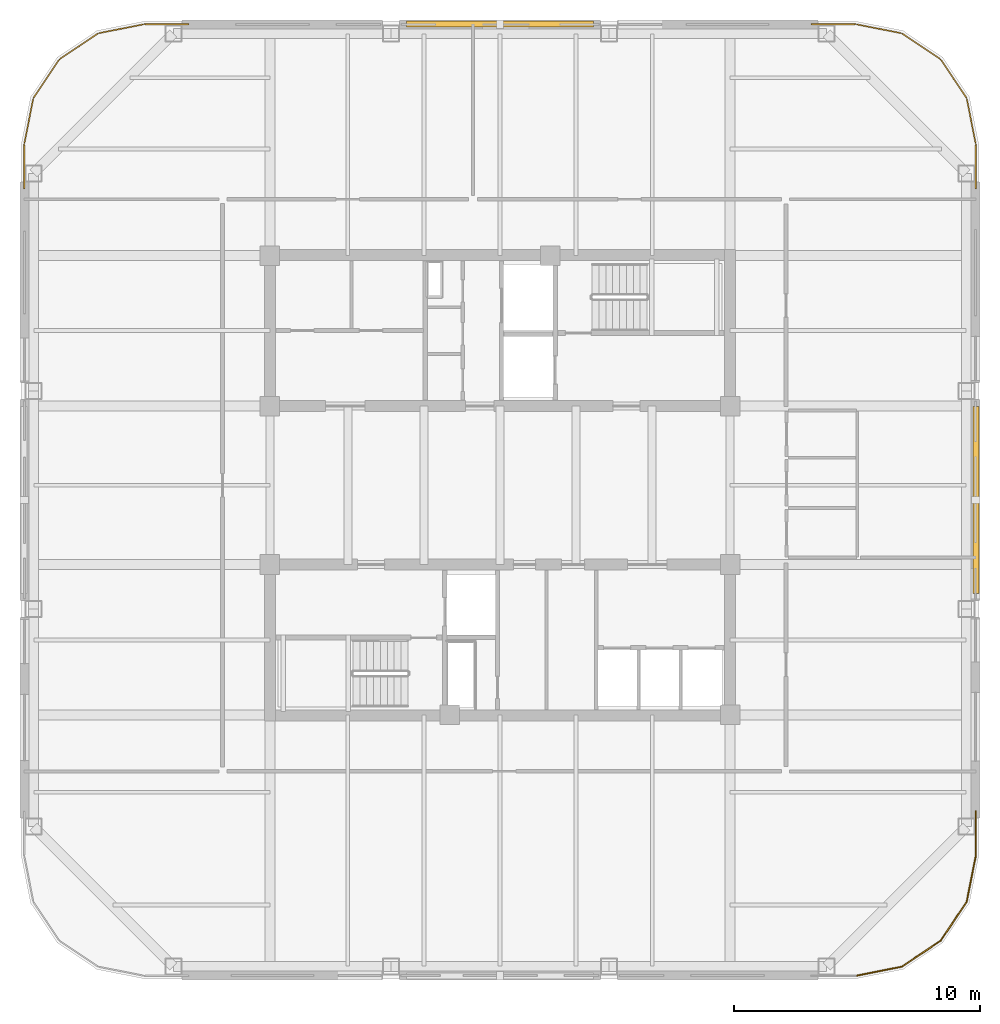
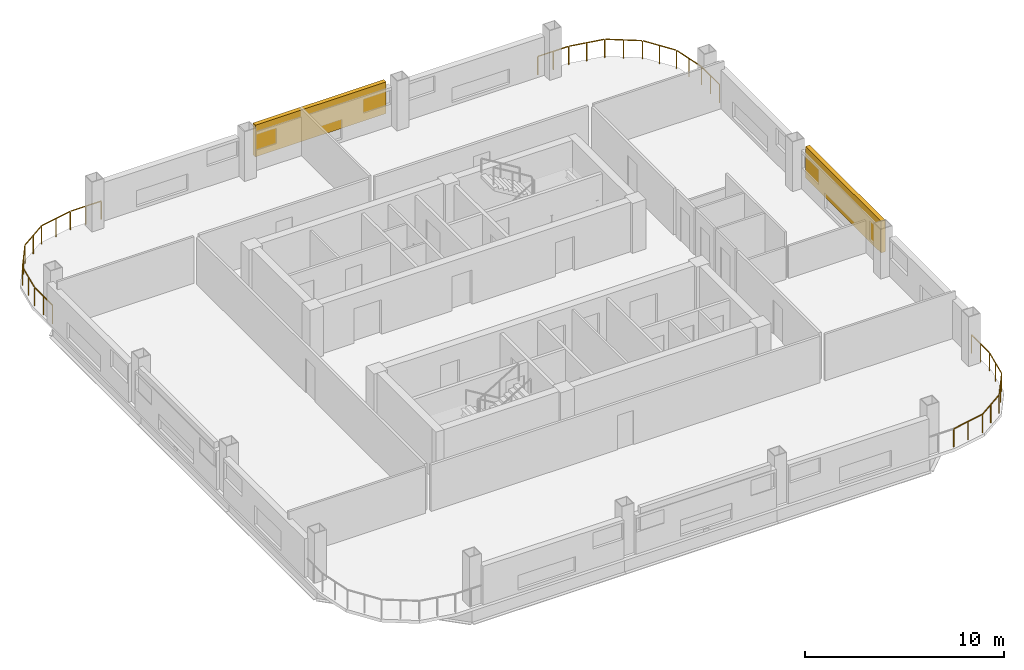
# One storey, part 8 of 8: 3 railings, 2 shading devices.
"""IFC4 building model written with IfcOpenShell, lengths in metres."""

from ifc_helpers import new_model, si_unit, direction, frame, origin, origin_2d, place, context, subcontext, project, spatial, rectangle, extrude, material, type_object, element, save


model = new_model("IFC4")

# Units and contexts
model_context = context("Model", 3, precision=1e-05, world=origin(), true_north=direction((0.0, 1.0)))
body_context = subcontext(model_context, "Body", "Model", "MODEL_VIEW")
ifc_project = project(units=[si_unit("LENGTHUNIT", "METRE"), si_unit("AREAUNIT", "SQUARE_METRE"), si_unit("VOLUMEUNIT", "CUBIC_METRE"), si_unit("PLANEANGLEUNIT", "RADIAN"), si_unit("MASSUNIT", "GRAM", prefix="KILO")], contexts=[model_context])

# Site, building, storey
site_placement = place(None, origin())
site = spatial("IfcSite", under=ifc_project, at=site_placement, CompositionType="ELEMENT")
building_placement = place(site_placement, origin())
building = spatial("IfcBuilding", under=site, at=building_placement, Name="Qhalaya Broadcast Tower", CompositionType="ELEMENT")
storey_placement = place(building_placement, frame((0.0, 0.0, 202.550048828125)))
storey = spatial("IfcBuildingStorey", under=building, at=storey_placement, Name="L59", CompositionType="ELEMENT", Elevation=202.550048828125)

# Railings
ifc_material_1 = material(Name="Powder-Coated Galvanised Steel", Category="steel")
railing_type = type_object("IfcRailingType", Name="Terrace, Sky-Pool & Lookout Glass Balustrade 1150", PredefinedType="BALUSTRADE", material=ifc_material_1)
railing_1_placement = place(storey_placement, frame((-19.3798828125, 12.681884765625, 0.0)))
element("IfcRailing", 1, at=railing_1_placement, inside=storey, type_object=railing_type, Name="L59 Rounded Corner Perimeter Guard 03", PredefinedType="BALUSTRADE", context=body_context, shape_type="SweptSolid", body=[
    extrude(rectangle(XDim=0.048095703125, YDim=0.048095703125, at=origin_2d()), frame((0.0, 0.0, 1.1259765625), z_axis=(0.0, 1.0, 0.0), x_axis=(-1.0, 0.0, 0.0)), (0.0, 0.0, 1.0), 1.777587890625),
    extrude(rectangle(XDim=0.048095703125, YDim=0.048095703125, at=origin_2d()), frame((0.005615234375, 1.834716796875, 1.1259765625), z_axis=(0.195037378397, 0.980795810058, 0.0), x_axis=(-0.980795810058, 0.195037378397, 0.0)), (0.0, 0.0, 1.0), 1.857421875),
    extrude(rectangle(XDim=0.048095703125, YDim=0.048095703125, at=origin_2d()), frame((0.3896484375, 3.708740234375, 1.1259765625), z_axis=(0.555617615188, 0.831437950597, 0.0), x_axis=(-0.831437950597, 0.555617615188, 0.0)), (0.0, 0.0, 1.0), 1.845458984375),
    extrude(rectangle(XDim=0.048095703125, YDim=0.048095703125, at=origin_2d()), frame((1.454833984375, 5.283203125, 1.1259765625), z_axis=(0.831437950597, 0.555617615188, 0.0), x_axis=(-0.555617615188, 0.831437950597, 0.0)), (0.0, 0.0, 1.0), 1.845458984375),
    extrude(rectangle(XDim=0.048095703125, YDim=0.048095703125, at=origin_2d()), frame((3.04150390625, 6.330078125, 1.1259765625), z_axis=(0.980795810058, 0.195037378397, 0.0), x_axis=(-0.195037378397, 0.980795810058, 0.0)), (0.0, 0.0, 1.0), 1.857421875),
    extrude(rectangle(XDim=0.048095703125, YDim=0.048095703125, at=origin_2d()), frame((4.92041015625, 6.697998046875, 1.1259765625), z_axis=(1.0, 0.0, 0.0), x_axis=(0.0, 1.0, 0.0)), (0.0, 0.0, 1.0), 1.777587890625),
    extrude(rectangle(XDim=0.0419921875, YDim=0.0419921875, at=origin_2d()), origin(), (0.0, 0.0, 1.0), 1.099853515625),
    extrude(rectangle(XDim=0.0419921875, YDim=0.0419921875, at=origin_2d()), frame((0.0, 0.9033203125, 0.0)), (0.0, 0.0, 1.0), 1.099853515625),
    extrude(rectangle(XDim=0.0419921875, YDim=0.0419921875, at=origin_2d()), frame((0.0, 1.806396484375, 0.0)), (0.0, 0.0, 1.0), 1.099853515625),
    extrude(rectangle(XDim=0.0419921875, YDim=0.0419921875, at=origin_2d()), frame((0.186767578125, 2.74560546875, 0.0)), (0.0, 0.0, 1.0), 1.099853515625),
    extrude(rectangle(XDim=0.0419921875, YDim=0.0419921875, at=origin_2d()), frame((0.37353515625, 3.684814453125, 0.0)), (0.0, 0.0, 1.0), 1.099853515625),
    extrude(rectangle(XDim=0.0419921875, YDim=0.0419921875, at=origin_2d()), frame((0.90234375, 4.47607421875, 0.0)), (0.0, 0.0, 1.0), 1.099853515625),
    extrude(rectangle(XDim=0.0419921875, YDim=0.0419921875, at=origin_2d()), frame((1.430908203125, 5.26708984375, 0.0)), (0.0, 0.0, 1.0), 1.099853515625),
    extrude(rectangle(XDim=0.0419921875, YDim=0.0419921875, at=origin_2d()), frame((2.22216796875, 5.7958984375, 0.0)), (0.0, 0.0, 1.0), 1.099853515625),
    extrude(rectangle(XDim=0.0419921875, YDim=0.0419921875, at=origin_2d()), frame((3.01318359375, 6.324462890625, 0.0)), (0.0, 0.0, 1.0), 1.099853515625),
    extrude(rectangle(XDim=0.0419921875, YDim=0.0419921875, at=origin_2d()), frame((3.952392578125, 6.51123046875, 0.0)), (0.0, 0.0, 1.0), 1.099853515625),
    extrude(rectangle(XDim=0.0419921875, YDim=0.0419921875, at=origin_2d()), frame((4.8916015625, 6.697998046875, 0.0)), (0.0, 0.0, 1.0), 1.099853515625),
    extrude(rectangle(XDim=0.0419921875, YDim=0.0419921875, at=origin_2d()), frame((5.794921875, 6.697998046875, 0.0)), (0.0, 0.0, 1.0), 1.099853515625),
    extrude(rectangle(XDim=0.0419921875, YDim=0.0419921875, at=origin_2d()), frame((6.697998046875, 6.697998046875, 0.0)), (0.0, 0.0, 1.0), 1.099853515625),
])
railing_2_placement = place(storey_placement, frame((12.681884765625, 19.3798828125, 0.0)))
element("IfcRailing", 2, at=railing_2_placement, inside=storey, type_object=railing_type, Name="L59 Rounded Corner Perimeter Guard 04", PredefinedType="BALUSTRADE", context=body_context, shape_type="SweptSolid", body=[
    extrude(rectangle(XDim=0.048095703125, YDim=0.048095703125, at=origin_2d()), frame((0.0, 0.0, 1.1259765625), z_axis=(1.0, 0.0, 0.0), x_axis=(0.0, 1.0, 0.0)), (0.0, 0.0, 1.0), 1.777587890625),
    extrude(rectangle(XDim=0.048095703125, YDim=0.048095703125, at=origin_2d()), frame((1.834716796875, -0.005615234375, 1.1259765625), z_axis=(0.980795810058, -0.195037378397, 0.0), x_axis=(0.195037378397, 0.980795810058, 0.0)), (0.0, 0.0, 1.0), 1.857421875),
    extrude(rectangle(XDim=0.048095703125, YDim=0.048095703125, at=origin_2d()), frame((3.708740234375, -0.3896484375, 1.1259765625), z_axis=(0.831437950597, -0.555617615188, 0.0), x_axis=(0.555617615188, 0.831437950597, 0.0)), (0.0, 0.0, 1.0), 1.845458984375),
    extrude(rectangle(XDim=0.048095703125, YDim=0.048095703125, at=origin_2d()), frame((5.283203125, -1.454833984375, 1.1259765625), z_axis=(0.555617615188, -0.831437950597, 0.0), x_axis=(0.831437950597, 0.555617615188, 0.0)), (0.0, 0.0, 1.0), 1.845458984375),
    extrude(rectangle(XDim=0.048095703125, YDim=0.048095703125, at=origin_2d()), frame((6.330078125, -3.04150390625, 1.1259765625), z_axis=(0.195037378397, -0.980795810058, 0.0), x_axis=(0.980795810058, 0.195037378397, 0.0)), (0.0, 0.0, 1.0), 1.857421875),
    extrude(rectangle(XDim=0.048095703125, YDim=0.048095703125, at=origin_2d()), frame((6.697998046875, -4.92041015625, 1.1259765625), z_axis=(0.0, -1.0, 0.0), x_axis=(1.0, 0.0, 0.0)), (0.0, 0.0, 1.0), 1.777587890625),
    extrude(rectangle(XDim=0.0419921875, YDim=0.0419921875, at=origin_2d()), origin(), (0.0, 0.0, 1.0), 1.099853515625),
    extrude(rectangle(XDim=0.0419921875, YDim=0.0419921875, at=origin_2d()), frame((0.9033203125, 0.0, 0.0)), (0.0, 0.0, 1.0), 1.099853515625),
    extrude(rectangle(XDim=0.0419921875, YDim=0.0419921875, at=origin_2d()), frame((1.806396484375, 0.0, 0.0)), (0.0, 0.0, 1.0), 1.099853515625),
    extrude(rectangle(XDim=0.0419921875, YDim=0.0419921875, at=origin_2d()), frame((2.74560546875, -0.186767578125, 0.0)), (0.0, 0.0, 1.0), 1.099853515625),
    extrude(rectangle(XDim=0.0419921875, YDim=0.0419921875, at=origin_2d()), frame((3.684814453125, -0.37353515625, 0.0)), (0.0, 0.0, 1.0), 1.099853515625),
    extrude(rectangle(XDim=0.0419921875, YDim=0.0419921875, at=origin_2d()), frame((4.47607421875, -0.90234375, 0.0)), (0.0, 0.0, 1.0), 1.099853515625),
    extrude(rectangle(XDim=0.0419921875, YDim=0.0419921875, at=origin_2d()), frame((5.26708984375, -1.430908203125, 0.0)), (0.0, 0.0, 1.0), 1.099853515625),
    extrude(rectangle(XDim=0.0419921875, YDim=0.0419921875, at=origin_2d()), frame((5.7958984375, -2.22216796875, 0.0)), (0.0, 0.0, 1.0), 1.099853515625),
    extrude(rectangle(XDim=0.0419921875, YDim=0.0419921875, at=origin_2d()), frame((6.324462890625, -3.01318359375, 0.0)), (0.0, 0.0, 1.0), 1.099853515625),
    extrude(rectangle(XDim=0.0419921875, YDim=0.0419921875, at=origin_2d()), frame((6.51123046875, -3.952392578125, 0.0)), (0.0, 0.0, 1.0), 1.099853515625),
    extrude(rectangle(XDim=0.0419921875, YDim=0.0419921875, at=origin_2d()), frame((6.697998046875, -4.8916015625, 0.0)), (0.0, 0.0, 1.0), 1.099853515625),
    extrude(rectangle(XDim=0.0419921875, YDim=0.0419921875, at=origin_2d()), frame((6.697998046875, -5.794921875, 0.0)), (0.0, 0.0, 1.0), 1.099853515625),
    extrude(rectangle(XDim=0.0419921875, YDim=0.0419921875, at=origin_2d()), frame((6.697998046875, -6.697998046875, 0.0)), (0.0, 0.0, 1.0), 1.099853515625),
])
railing_3_placement = place(storey_placement, frame((19.3798828125, -12.681884765625, 0.0)))
element("IfcRailing", 3, at=railing_3_placement, inside=storey, type_object=railing_type, Name="L59 Rounded Corner Perimeter Guard 05", PredefinedType="BALUSTRADE", context=body_context, shape_type="SweptSolid", body=[
    extrude(rectangle(XDim=0.048095703125, YDim=0.048095703125, at=origin_2d()), frame((0.0, 0.0, 1.1259765625), z_axis=(0.0, -1.0, 0.0), x_axis=(1.0, 0.0, 0.0)), (0.0, 0.0, 1.0), 1.777587890625),
    extrude(rectangle(XDim=0.048095703125, YDim=0.048095703125, at=origin_2d()), frame((-0.005615234375, -1.834716796875, 1.1259765625), z_axis=(-0.195037378397, -0.980795810058, 0.0), x_axis=(0.980795810058, -0.195037378397, 0.0)), (0.0, 0.0, 1.0), 1.857421875),
    extrude(rectangle(XDim=0.048095703125, YDim=0.048095703125, at=origin_2d()), frame((-0.3896484375, -3.708740234375, 1.1259765625), z_axis=(-0.555617615188, -0.831437950597, 0.0), x_axis=(0.831437950597, -0.555617615188, 0.0)), (0.0, 0.0, 1.0), 1.845458984375),
    extrude(rectangle(XDim=0.048095703125, YDim=0.048095703125, at=origin_2d()), frame((-1.454833984375, -5.283203125, 1.1259765625), z_axis=(-0.831437950597, -0.555617615188, 0.0), x_axis=(0.555617615188, -0.831437950597, 0.0)), (0.0, 0.0, 1.0), 1.845458984375),
    extrude(rectangle(XDim=0.048095703125, YDim=0.048095703125, at=origin_2d()), frame((-3.04150390625, -6.330078125, 1.1259765625), z_axis=(-0.980795810058, -0.195037378397, 0.0), x_axis=(0.195037378397, -0.980795810058, 0.0)), (0.0, 0.0, 1.0), 1.88623046875),
    extrude(rectangle(XDim=0.0419921875, YDim=0.0419921875, at=origin_2d()), origin(), (0.0, 0.0, 1.0), 1.099853515625),
    extrude(rectangle(XDim=0.0419921875, YDim=0.0419921875, at=origin_2d()), frame((0.0, -0.9033203125, 0.0)), (0.0, 0.0, 1.0), 1.099853515625),
    extrude(rectangle(XDim=0.0419921875, YDim=0.0419921875, at=origin_2d()), frame((0.0, -1.806396484375, 0.0)), (0.0, 0.0, 1.0), 1.099853515625),
    extrude(rectangle(XDim=0.0419921875, YDim=0.0419921875, at=origin_2d()), frame((-0.186767578125, -2.74560546875, 0.0)), (0.0, 0.0, 1.0), 1.099853515625),
    extrude(rectangle(XDim=0.0419921875, YDim=0.0419921875, at=origin_2d()), frame((-0.37353515625, -3.684814453125, 0.0)), (0.0, 0.0, 1.0), 1.099853515625),
    extrude(rectangle(XDim=0.0419921875, YDim=0.0419921875, at=origin_2d()), frame((-0.90234375, -4.47607421875, 0.0)), (0.0, 0.0, 1.0), 1.099853515625),
    extrude(rectangle(XDim=0.0419921875, YDim=0.0419921875, at=origin_2d()), frame((-1.430908203125, -5.26708984375, 0.0)), (0.0, 0.0, 1.0), 1.099853515625),
    extrude(rectangle(XDim=0.0419921875, YDim=0.0419921875, at=origin_2d()), frame((-2.22216796875, -5.7958984375, 0.0)), (0.0, 0.0, 1.0), 1.099853515625),
    extrude(rectangle(XDim=0.0419921875, YDim=0.0419921875, at=origin_2d()), frame((-3.01318359375, -6.324462890625, 0.0)), (0.0, 0.0, 1.0), 1.099853515625),
    extrude(rectangle(XDim=0.0419921875, YDim=0.0419921875, at=origin_2d()), frame((-3.952392578125, -6.51123046875, 0.0)), (0.0, 0.0, 1.0), 1.099853515625),
    extrude(rectangle(XDim=0.0419921875, YDim=0.0419921875, at=origin_2d()), frame((-4.8916015625, -6.697998046875, 0.0)), (0.0, 0.0, 1.0), 1.099853515625),
])

# Shading devices
ifc_material_2 = material(Name="Fired Architectural Terracotta", Category="masonry")
shading_device_type = type_object("IfcShadingDeviceType", Name="Terracotta Baguette Solar Screen Assembly TBS-01", PredefinedType="USERDEFINED", material=ifc_material_2)
for number, where, z_axis, x_axis, name in (
    (4, (19.3798828125, 0.0, 0.80078125), (0.0, 0.0, 1.0), (0.0, 1.0, 0.0), "L59 Fired Terracotta Baguette Screen E"),
    (5, (0.0, 19.3798828125, 0.80078125), (0.0, 0.0, 1.0), (-1.0, 0.0, 0.0), "L59 Fired Terracotta Baguette Screen N"),
):
    element("IfcShadingDevice", number, at=place(storey_placement, frame(where, z_axis=z_axis, x_axis=x_axis)), inside=storey, type_object=shading_device_type, Name=name, ObjectType="BAGUETTE", PredefinedType="USERDEFINED", context=body_context, shape_type="SweptSolid", body=[
        extrude(rectangle(XDim=7.60009765625, YDim=0.239990234375, at=origin_2d()), origin(), (0.0, 0.0, 1.0), 1.945068359375),
    ])

save(model, "model.ifc")
